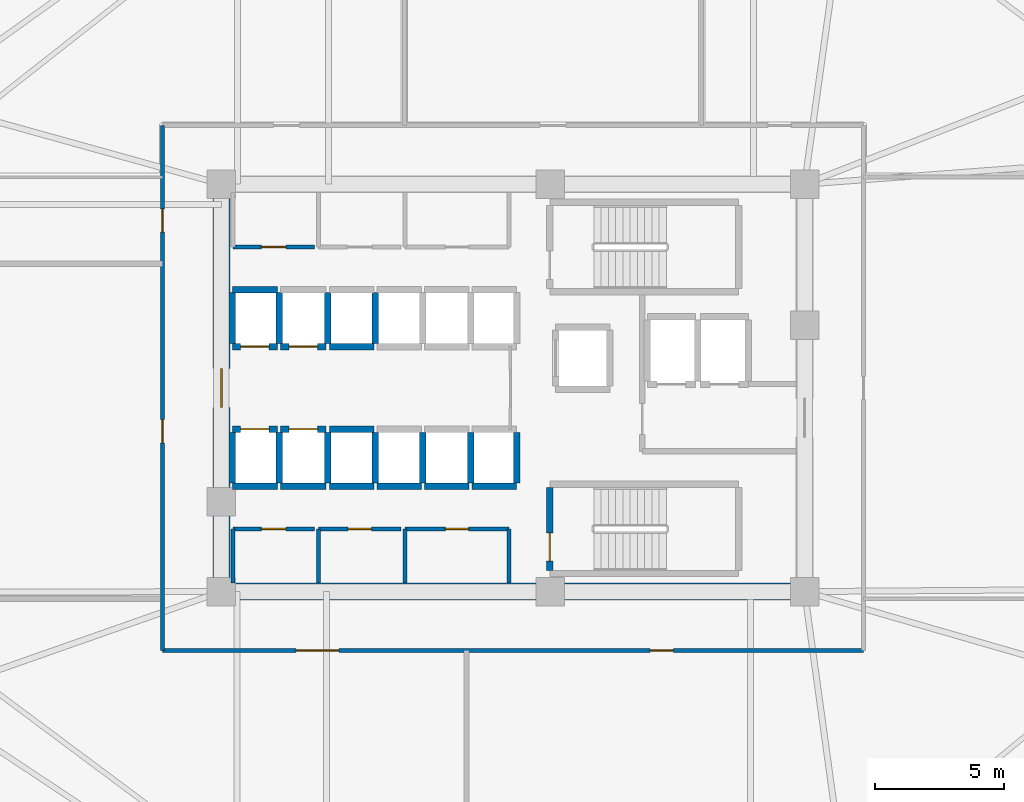
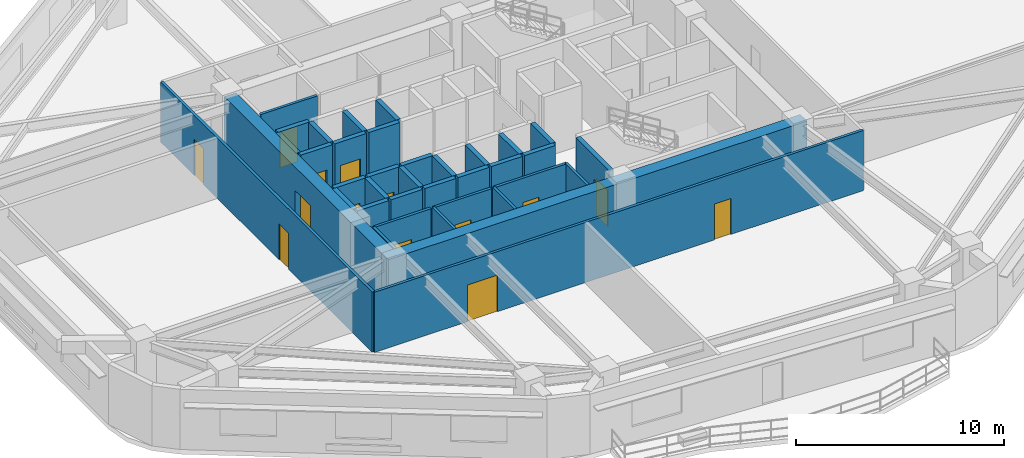
# One storey, part 3 of 9: 37 walls, 14 doors, 14 openings.
"""IFC4 building model written with IfcOpenShell, lengths in metres."""

from ifc_helpers import new_model, si_unit, direction, frame, frame_2d, origin, place, context, subcontext, project, spatial, rectangle, extrude, material, layer, layer_set, type_object, element, fill, save


model = new_model("IFC4")

# Units and contexts
model_context = context("Model", 3, precision=1e-05, world=origin(), true_north=direction((0.0, 1.0)))
body_context = subcontext(model_context, "Body", "Model", "MODEL_VIEW")
ifc_project = project(units=[si_unit("LENGTHUNIT", "METRE"), si_unit("AREAUNIT", "SQUARE_METRE"), si_unit("VOLUMEUNIT", "CUBIC_METRE"), si_unit("PLANEANGLEUNIT", "RADIAN"), si_unit("MASSUNIT", "GRAM", prefix="KILO")], contexts=[model_context])

# Site, building, storey
site_placement = place(None, origin())
site = spatial("IfcSite", under=ifc_project, at=site_placement, CompositionType="ELEMENT")
building_placement = place(site_placement, origin())
building = spatial("IfcBuilding", under=site, at=building_placement, Name="Zulverin Broadcast Headquarters", CompositionType="ELEMENT")
storey_placement = place(building_placement, frame((0.0, 0.0, 112.39990234375)))
storey = spatial("IfcBuildingStorey", under=building, at=storey_placement, Name="L28", CompositionType="ELEMENT", Elevation=112.39990234375)

# Wall
ifc_material_1 = material(Name="Concrete C60/75", Category="concrete")
ifc_layer_1 = layer(ifc_material_1, 0.64990234375, Name="Concrete C60/75", Category="concrete")
ifc_layer_set_1 = layer_set([ifc_layer_1], Name="Concrete C60/75")
wall_type_1 = type_object("IfcWallType", Name="WL-CORE-650", PredefinedType="SHEAR", material=ifc_layer_set_1)
wall_1_placement = place(storey_placement, frame((25.39990234375, 17.324951171875, 0.0), z_axis=(0.0, 0.0, 1.0), x_axis=(1.0, 0.0, 0.0)))
element("IfcWall", 1, at=wall_1_placement, inside=storey, type_object=wall_type_1, Name="L28 Core South Shear Wall", PredefinedType="SHEAR", context=body_context, shape_type="SweptSolid", body=[
    extrude(rectangle(XDim=23.2001953125, YDim=0.64990234375, at=frame_2d((11.60009765625, 0.0))), origin(), (0.0, 0.0, 1.0), 3.525146484375),
])

# Wall, opening, door
wall_2_placement = place(storey_placement, frame((25.72509765625, 17.64990234375, 0.0), z_axis=(0.0, 0.0, 1.0), x_axis=(0.0, 1.0, 0.0)))
wall_2 = element("IfcWall", 2, at=wall_2_placement, inside=storey, type_object=wall_type_1, Name="L28 Core West Shear Wall", PredefinedType="SHEAR", context=body_context, shape_type="SweptSolid", body=[
    extrude(rectangle(XDim=15.10009765625, YDim=0.64990234375, at=frame_2d((7.550048828125, 0.0))), origin(), (0.0, 0.0, 1.0), 3.525146484375),
])
opening_1_placement = place(wall_2_placement, frame((6.800048828125, 0.0, 0.0)))
opening_1 = element("IfcOpeningElement", 3, at=opening_1_placement, cuts=wall_2, Name="Opening D-L28-CW1", PredefinedType="OPENING", context=body_context, shape_type="SweptSolid", body=[
    extrude(rectangle(XDim=1.5, YDim=2.14990234375, at=frame_2d((0.75, 1.074951171875))), frame((0.0, 0.3349609375, 0.0), z_axis=(0.0, -1.0, 0.0), x_axis=(1.0, 0.0, 0.0)), (0.0, 0.0, 1.0), 0.669921875),
])
ifc_material_2 = material(Name="Fire-rated glazed steel frame", Category="steel")
door_type_1 = type_object("IfcDoorType", Name="DR-COR-1500", OperationType="DOUBLE_DOOR_SINGLE_SWING", PredefinedType="DOOR", material=ifc_material_2)
door_1_placement = place(opening_1_placement, origin())
door_1 = element("IfcDoor", 4, at=door_1_placement, inside=storey, type_object=door_type_1, Name="L28 Central Lift Lobby West Portal Door", OperationType="DOUBLE_DOOR_SINGLE_SWING", OverallHeight=2.14990234375, OverallWidth=1.5, PredefinedType="DOOR", context=body_context, shape_type="SweptSolid", body=[
    extrude(rectangle(XDim=1.5, YDim=2.14990234375, at=frame_2d((0.75, 1.074951171875))), frame((0.0, 0.02490234375, 0.0), z_axis=(0.0, -1.0, 0.0), x_axis=(1.0, 0.0, 0.0)), (0.0, 0.0, 1.0), 0.050048828125),
])
fill(opening_1, door_1)

ifc_material_3 = material(Name="Fire-rated gypsum stud partition", Category="gypsum")
ifc_layer_2 = layer(ifc_material_3, 0.14990234375, Name="Fire-rated gypsum stud partition", Category="gypsum")
ifc_layer_set_2 = layer_set([ifc_layer_2], Name="Fire-rated gypsum stud partition")
wall_type_2 = type_object("IfcWallType", Name="WL-PART-150", PredefinedType="PARTITIONING", material=ifc_layer_set_2)
wall_3_placement = place(storey_placement, frame((26.169921875, 30.64990234375, 0.0), z_axis=(0.0, 0.0, 1.0), x_axis=(1.0, 0.0, 0.0)))
wall_3 = element("IfcWall", 5, at=wall_3_placement, inside=storey, type_object=wall_type_2, Name="L28 Core Male WC Front Wall", PredefinedType="PARTITIONING", context=body_context, shape_type="SweptSolid", body=[
    extrude(rectangle(XDim=3.150146484375, YDim=0.14990234375, at=frame_2d((1.5751953125, 0.0))), origin(), (0.0, 0.0, 1.0), 3.525146484375),
])
opening_2_placement = place(wall_3_placement, frame((1.10009765625, 0.0, 0.0)))
opening_2 = element("IfcOpeningElement", 6, at=opening_2_placement, cuts=wall_3, Name="Opening D-L28-NC1", PredefinedType="OPENING", context=body_context, shape_type="SweptSolid", body=[
    extrude(rectangle(XDim=0.949951171875, YDim=2.10009765625, at=frame_2d((0.47509765625, 1.050048828125))), frame((0.0, 0.0849609375, 0.0), z_axis=(0.0, -1.0, 0.0), x_axis=(1.0, 0.0, 0.0)), (0.0, 0.0, 1.0), 0.169921875),
])
ifc_material_4 = material(Name="Fire-rated moisture-resistant laminate leaf", Category="wood")
door_type_2 = type_object("IfcDoorType", Name="DR-WC-950", OperationType="SINGLE_SWING_LEFT", PredefinedType="DOOR", material=ifc_material_4)
door_2_placement = place(opening_2_placement, origin())
door_2 = element("IfcDoor", 7, at=door_2_placement, inside=storey, type_object=door_type_2, Name="L28 Male WC Door", OperationType="SINGLE_SWING_LEFT", OverallHeight=2.10009765625, OverallWidth=0.949951171875, PredefinedType="DOOR", context=body_context, shape_type="SweptSolid", body=[
    extrude(rectangle(XDim=0.949951171875, YDim=2.10009765625, at=frame_2d((0.47509765625, 1.050048828125))), frame((0.0, 0.02490234375, 0.0), z_axis=(0.0, -1.0, 0.0), x_axis=(1.0, 0.0, 0.0)), (0.0, 0.0, 1.0), 0.050048828125),
])
fill(opening_2, door_2)

wall_4_placement = place(storey_placement, frame((26.169921875, 19.75, 0.0), z_axis=(0.0, 0.0, 1.0), x_axis=(1.0, 0.0, 0.0)))
wall_4 = element("IfcWall", 8, at=wall_4_placement, inside=storey, type_object=wall_type_2, Name="L28 Core Female WC Front Wall", PredefinedType="PARTITIONING", context=body_context, shape_type="SweptSolid", body=[
    extrude(rectangle(XDim=3.150146484375, YDim=0.14990234375, at=frame_2d((1.5751953125, 0.0))), origin(), (0.0, 0.0, 1.0), 3.525146484375),
])
opening_3_placement = place(wall_4_placement, frame((1.10009765625, 0.0, 0.0)))
opening_3 = element("IfcOpeningElement", 9, at=opening_3_placement, cuts=wall_4, Name="Opening D-L28-SC1", PredefinedType="OPENING", context=body_context, shape_type="SweptSolid", body=[
    extrude(rectangle(XDim=0.949951171875, YDim=2.10009765625, at=frame_2d((0.47509765625, 1.050048828125))), frame((0.0, 0.0849609375, 0.0), z_axis=(0.0, -1.0, 0.0), x_axis=(1.0, 0.0, 0.0)), (0.0, 0.0, 1.0), 0.169921875),
])
door_3_placement = place(opening_3_placement, origin())
door_3 = element("IfcDoor", 10, at=door_3_placement, inside=storey, type_object=door_type_2, Name="L28 Female WC Door", OperationType="SINGLE_SWING_RIGHT", OverallHeight=2.10009765625, OverallWidth=0.949951171875, PredefinedType="DOOR", context=body_context, shape_type="SweptSolid", body=[
    extrude(rectangle(XDim=0.949951171875, YDim=2.10009765625, at=frame_2d((0.47509765625, 1.050048828125))), frame((0.0, 0.02490234375, 0.0), z_axis=(0.0, -1.0, 0.0), x_axis=(1.0, 0.0, 0.0)), (0.0, 0.0, 1.0), 0.050048828125),
])
fill(opening_3, door_3)

# Wall
wall_5_placement = place(storey_placement, frame((26.169921875, 17.64990234375, 0.0), z_axis=(0.0, 0.0, 1.0), x_axis=(0.0, 1.0, 0.0)))
element("IfcWall", 11, at=wall_5_placement, inside=storey, type_object=wall_type_2, Name="L28 Core Female WC West Wall", PredefinedType="PARTITIONING", context=body_context, shape_type="SweptSolid", body=[
    extrude(rectangle(XDim=2.10009765625, YDim=0.14990234375, at=frame_2d((1.050048828125, 0.0))), origin(), (0.0, 0.0, 1.0), 3.525146484375),
])

# Wall, opening, door
wall_6_placement = place(storey_placement, frame((29.47998046875, 19.75, 0.0), z_axis=(0.0, 0.0, 1.0), x_axis=(1.0, 0.0, 0.0)))
wall_6 = element("IfcWall", 12, at=wall_6_placement, inside=storey, type_object=wall_type_2, Name="L28 Core Cleaner Store Front Wall", PredefinedType="PARTITIONING", context=body_context, shape_type="SweptSolid", body=[
    extrude(rectangle(XDim=3.18994140625, YDim=0.14990234375, at=frame_2d((1.594970703125, 0.0))), origin(), (0.0, 0.0, 1.0), 3.525146484375),
])
opening_4_placement = place(wall_6_placement, frame((1.14501953125, 0.0, 0.0)))
opening_4 = element("IfcOpeningElement", 13, at=opening_4_placement, cuts=wall_6, Name="Opening D-L28-SC2", PredefinedType="OPENING", context=body_context, shape_type="SweptSolid", body=[
    extrude(rectangle(XDim=0.89990234375, YDim=2.10009765625, at=frame_2d((0.449951171875, 1.050048828125))), frame((0.0, 0.0849609375, 0.0), z_axis=(0.0, -1.0, 0.0), x_axis=(1.0, 0.0, 0.0)), (0.0, 0.0, 1.0), 0.169921875),
])
ifc_material_5 = material(Name="Powder-coated steel access leaf", Category="steel")
door_type_3 = type_object("IfcDoorType", Name="DR-RISER-900", OperationType="SINGLE_SWING_LEFT", PredefinedType="DOOR", material=ifc_material_5)
door_4_placement = place(opening_4_placement, origin())
door_4 = element("IfcDoor", 14, at=door_4_placement, inside=storey, type_object=door_type_3, Name="L28 Cleaner Store Door", OperationType="SINGLE_SWING_LEFT", OverallHeight=2.10009765625, OverallWidth=0.89990234375, PredefinedType="DOOR", context=body_context, shape_type="SweptSolid", body=[
    extrude(rectangle(XDim=0.89990234375, YDim=2.10009765625, at=frame_2d((0.449951171875, 1.050048828125))), frame((0.0, 0.02490234375, 0.0), z_axis=(0.0, -1.0, 0.0), x_axis=(1.0, 0.0, 0.0)), (0.0, 0.0, 1.0), 0.050048828125),
])
fill(opening_4, door_4)

# Wall
wall_7_placement = place(storey_placement, frame((29.47998046875, 17.64990234375, 0.0), z_axis=(0.0, 0.0, 1.0), x_axis=(0.0, 1.0, 0.0)))
element("IfcWall", 15, at=wall_7_placement, inside=storey, type_object=wall_type_2, Name="L28 Core Cleaner Store West Wall", PredefinedType="PARTITIONING", context=body_context, shape_type="SweptSolid", body=[
    extrude(rectangle(XDim=2.10009765625, YDim=0.14990234375, at=frame_2d((1.050048828125, 0.0))), origin(), (0.0, 0.0, 1.0), 3.525146484375),
])

# Wall, opening, door
wall_8_placement = place(storey_placement, frame((32.830078125, 19.75, 0.0), z_axis=(0.0, 0.0, 1.0), x_axis=(1.0, 0.0, 0.0)))
wall_8 = element("IfcWall", 16, at=wall_8_placement, inside=storey, type_object=wall_type_2, Name="L28 Core Broadcast Fibre Riser Front Wall", PredefinedType="PARTITIONING", context=body_context, shape_type="SweptSolid", body=[
    extrude(rectangle(XDim=4.02001953125, YDim=0.14990234375, at=frame_2d((2.010009765625, 0.0))), origin(), (0.0, 0.0, 1.0), 3.525146484375),
])
opening_5_placement = place(wall_8_placement, frame((1.56005859375, 0.0, 0.0)))
opening_5 = element("IfcOpeningElement", 17, at=opening_5_placement, cuts=wall_8, Name="Opening D-L28-SC3", PredefinedType="OPENING", context=body_context, shape_type="SweptSolid", body=[
    extrude(rectangle(XDim=0.89990234375, YDim=2.10009765625, at=frame_2d((0.449951171875, 1.050048828125))), frame((0.0, 0.0849609375, 0.0), z_axis=(0.0, -1.0, 0.0), x_axis=(1.0, 0.0, 0.0)), (0.0, 0.0, 1.0), 0.169921875),
])
door_5_placement = place(opening_5_placement, origin())
door_5 = element("IfcDoor", 18, at=door_5_placement, inside=storey, type_object=door_type_3, Name="L28 Broadcast Fibre Riser Door", OperationType="SINGLE_SWING_RIGHT", OverallHeight=2.10009765625, OverallWidth=0.89990234375, PredefinedType="DOOR", context=body_context, shape_type="SweptSolid", body=[
    extrude(rectangle(XDim=0.89990234375, YDim=2.10009765625, at=frame_2d((0.449951171875, 1.050048828125))), frame((0.0, 0.02490234375, 0.0), z_axis=(0.0, -1.0, 0.0), x_axis=(1.0, 0.0, 0.0)), (0.0, 0.0, 1.0), 0.050048828125),
])
fill(opening_5, door_5)

# Walls
for number, where, z_axis, x_axis, name in (
    (19, (32.830078125, 17.64990234375, 0.0), (0.0, 0.0, 1.0), (0.0, 1.0, 0.0), "L28 Core Broadcast Fibre Riser West Wall"),
    (20, (36.85009765625, 17.64990234375, 0.0), (0.0, 0.0, 1.0), (0.0, 1.0, 0.0), "L28 Core Broadcast Fibre Riser East Wall"),
):
    element("IfcWall", number, at=place(storey_placement, frame(where, z_axis=z_axis, x_axis=x_axis)), inside=storey, type_object=wall_type_2, Name=name, PredefinedType="PARTITIONING", context=body_context, shape_type="SweptSolid", body=[
        extrude(rectangle(XDim=2.10009765625, YDim=0.14990234375, at=frame_2d((1.050048828125, 0.0))), origin(), (0.0, 0.0, 1.0), 3.525146484375),
    ])

# Wall, openings, doors
wall_9_placement = place(storey_placement, frame((23.449951171875, 15.050048828125, 0.0), z_axis=(0.0, 0.0, 1.0), x_axis=(0.0, 1.0, 0.0)))
wall_9 = element("IfcWall", 21, at=wall_9_placement, inside=storey, type_object=wall_type_2, Name="L28 Gallery Partition Wall CG-05", PredefinedType="PARTITIONING", context=body_context, shape_type="SweptSolid", body=[
    extrude(rectangle(XDim=20.300048828125, YDim=0.14990234375, at=frame_2d((10.14990234375, 0.0))), origin(), (0.0, 0.0, 1.0), 3.525146484375),
])
opening_6_placement = place(wall_9_placement, frame((8.02490234375, 0.0, 0.0)))
opening_6 = element("IfcOpeningElement", 22, at=opening_6_placement, cuts=wall_9, Name="Opening D-L28-06", PredefinedType="OPENING", context=body_context, shape_type="SweptSolid", body=[
    extrude(rectangle(XDim=0.89990234375, YDim=2.10009765625, at=frame_2d((0.449951171875, 1.050048828125))), frame((0.0, 0.0849609375, 0.0), z_axis=(0.0, -1.0, 0.0), x_axis=(1.0, 0.0, 0.0)), (0.0, 0.0, 1.0), 0.169921875),
])
opening_7_placement = place(wall_9_placement, frame((16.175048828125, 0.0, 0.0)))
opening_7 = element("IfcOpeningElement", 23, at=opening_7_placement, cuts=wall_9, Name="Opening D-L28-07", PredefinedType="OPENING", context=body_context, shape_type="SweptSolid", body=[
    extrude(rectangle(XDim=0.89990234375, YDim=2.10009765625, at=frame_2d((0.449951171875, 1.050048828125))), frame((0.0, 0.0849609375, 0.0), z_axis=(0.0, -1.0, 0.0), x_axis=(1.0, 0.0, 0.0)), (0.0, 0.0, 1.0), 0.169921875),
])
ifc_material_6 = material(Name="Fire-rated hardwood veneer timber leaf", Category="wood")
door_type_4 = type_object("IfcDoorType", Name="DR-ROOM-900", OperationType="SINGLE_SWING_RIGHT", PredefinedType="DOOR", material=ifc_material_6)
door_6_placement = place(opening_6_placement, origin())
door_6 = element("IfcDoor", 24, at=door_6_placement, inside=storey, type_object=door_type_4, Name="L28 Evening Bistro Door", OperationType="SINGLE_SWING_LEFT", OverallHeight=2.10009765625, OverallWidth=0.89990234375, PredefinedType="DOOR", context=body_context, shape_type="SweptSolid", body=[
    extrude(rectangle(XDim=0.89990234375, YDim=2.10009765625, at=frame_2d((0.449951171875, 1.050048828125))), frame((0.0, 0.02490234375, 0.0), z_axis=(0.0, -1.0, 0.0), x_axis=(1.0, 0.0, 0.0)), (0.0, 0.0, 1.0), 0.050048828125),
])
fill(opening_6, door_6)
door_7_placement = place(opening_7_placement, origin())
door_7 = element("IfcDoor", 25, at=door_7_placement, inside=storey, type_object=door_type_4, Name="L28 Catering Pantry Door", OperationType="SINGLE_SWING_RIGHT", OverallHeight=2.10009765625, OverallWidth=0.89990234375, PredefinedType="DOOR", context=body_context, shape_type="SweptSolid", body=[
    extrude(rectangle(XDim=0.89990234375, YDim=2.10009765625, at=frame_2d((0.449951171875, 1.050048828125))), frame((0.0, 0.02490234375, 0.0), z_axis=(0.0, -1.0, 0.0), x_axis=(1.0, 0.0, 0.0)), (0.0, 0.0, 1.0), 0.050048828125),
])
fill(opening_7, door_7)

wall_10_placement = place(storey_placement, frame((23.449951171875, 15.050048828125, 0.0), z_axis=(0.0, 0.0, 1.0), x_axis=(1.0, 0.0, 0.0)))
wall_10 = element("IfcWall", 26, at=wall_10_placement, inside=storey, type_object=wall_type_2, Name="L28 Gallery Partition Wall CG-06", PredefinedType="PARTITIONING", context=body_context, shape_type="SweptSolid", body=[
    extrude(rectangle(XDim=27.10009765625, YDim=0.14990234375, at=frame_2d((13.550048828125, 0.0))), origin(), (0.0, 0.0, 1.0), 3.525146484375),
])
opening_8_placement = place(wall_10_placement, frame((5.169921875, 0.0, 0.0)))
opening_8 = element("IfcOpeningElement", 27, at=opening_8_placement, cuts=wall_10, Name="Opening D-L28-04", PredefinedType="OPENING", context=body_context, shape_type="SweptSolid", body=[
    extrude(rectangle(XDim=1.64990234375, YDim=2.14990234375, at=frame_2d((0.824951171875, 1.074951171875))), frame((0.0, 0.0849609375, 0.0), z_axis=(0.0, -1.0, 0.0), x_axis=(1.0, 0.0, 0.0)), (0.0, 0.0, 1.0), 0.169921875),
])
opening_9_placement = place(wall_10_placement, frame((18.85498046875, 0.0, 0.0)))
opening_9 = element("IfcOpeningElement", 28, at=opening_9_placement, cuts=wall_10, Name="Opening D-L28-05", PredefinedType="OPENING", context=body_context, shape_type="SweptSolid", body=[
    extrude(rectangle(XDim=0.89990234375, YDim=2.10009765625, at=frame_2d((0.449951171875, 1.050048828125))), frame((0.0, 0.0849609375, 0.0), z_axis=(0.0, -1.0, 0.0), x_axis=(1.0, 0.0, 0.0)), (0.0, 0.0, 1.0), 0.169921875),
])
ifc_material_7 = material(Name="Fire-rated acoustic double leaf", Category="steel")
door_type_5 = type_object("IfcDoorType", Name="DR-AUD-1650", OperationType="DOUBLE_DOOR_SINGLE_SWING", PredefinedType="DOOR", material=ifc_material_7)
door_8_placement = place(opening_8_placement, origin())
door_8 = element("IfcDoor", 29, at=door_8_placement, inside=storey, type_object=door_type_5, Name="L28 Staff Dining Hall Door", OperationType="DOUBLE_DOOR_SINGLE_SWING", OverallHeight=2.14990234375, OverallWidth=1.64990234375, PredefinedType="DOOR", context=body_context, shape_type="SweptSolid", body=[
    extrude(rectangle(XDim=1.64990234375, YDim=2.14990234375, at=frame_2d((0.824951171875, 1.074951171875))), frame((0.0, 0.02490234375, 0.0), z_axis=(0.0, -1.0, 0.0), x_axis=(1.0, 0.0, 0.0)), (0.0, 0.0, 1.0), 0.050048828125),
])
fill(opening_8, door_8)
door_9_placement = place(opening_9_placement, origin())
door_9 = element("IfcDoor", 30, at=door_9_placement, inside=storey, type_object=door_type_4, Name="L28 Express Cafe Door", OperationType="SINGLE_SWING_RIGHT", OverallHeight=2.10009765625, OverallWidth=0.89990234375, PredefinedType="DOOR", context=body_context, shape_type="SweptSolid", body=[
    extrude(rectangle(XDim=0.89990234375, YDim=2.10009765625, at=frame_2d((0.449951171875, 1.050048828125))), frame((0.0, 0.02490234375, 0.0), z_axis=(0.0, -1.0, 0.0), x_axis=(1.0, 0.0, 0.0)), (0.0, 0.0, 1.0), 0.050048828125),
])
fill(opening_9, door_9)

# Wall, opening, door
ifc_material_8 = material(Name="Concrete C50/60", Category="concrete")
ifc_layer_3 = layer(ifc_material_8, 0.25, Name="Concrete C50/60", Category="concrete")
ifc_layer_set_3 = layer_set([ifc_layer_3], Name="Concrete C50/60")
wall_type_3 = type_object("IfcWallType", Name="WL-SHAFT-250", PredefinedType="SHEAR", material=ifc_layer_set_3)
wall_11_placement = place(storey_placement, frame((38.425048828125, 18.14990234375, 0.0), z_axis=(0.0, 0.0, 1.0), x_axis=(0.0, 1.0, 0.0)))
wall_11 = element("IfcWall", 31, at=wall_11_placement, inside=storey, type_object=wall_type_3, Name="L28 ST-2 Enclosure Wall W", PredefinedType="SHEAR", context=body_context, shape_type="SweptSolid", body=[
    extrude(rectangle(XDim=3.2001953125, YDim=0.25, at=frame_2d((1.60009765625, 0.0))), origin(), (0.0, 0.0, 1.0), 3.525146484375),
])
opening_10_placement = place(wall_11_placement, frame((0.35009765625, 0.0, 0.0)))
opening_10 = element("IfcOpeningElement", 32, at=opening_10_placement, cuts=wall_11, Name="Opening D-L28-ST-2", PredefinedType="OPENING", context=body_context, shape_type="SweptSolid", body=[
    extrude(rectangle(XDim=1.10009765625, YDim=2.14990234375, at=frame_2d((0.550048828125, 1.074951171875))), frame((0.0, 0.135009765625, 0.0), z_axis=(0.0, -1.0, 0.0), x_axis=(1.0, 0.0, 0.0)), (0.0, 0.0, 1.0), 0.27001953125),
])
ifc_material_9 = material(Name="Fire-rated steel leaf and frame", Category="steel")
door_type_6 = type_object("IfcDoorType", Name="DR-STAIR-1100", OperationType="SINGLE_SWING_LEFT", PredefinedType="DOOR", material=ifc_material_9)
door_10_placement = place(opening_10_placement, origin())
door_10 = element("IfcDoor", 33, at=door_10_placement, inside=storey, type_object=door_type_6, Name="L28 Exit Stair ST-2 Fire Door", OperationType="SINGLE_SWING_RIGHT", OverallHeight=2.14990234375, OverallWidth=1.10009765625, PredefinedType="DOOR", context=body_context, shape_type="SweptSolid", body=[
    extrude(rectangle(XDim=1.10009765625, YDim=2.14990234375, at=frame_2d((0.550048828125, 1.074951171875))), frame((0.0, 0.02490234375, 0.0), z_axis=(0.0, -1.0, 0.0), x_axis=(1.0, 0.0, 0.0)), (0.0, 0.0, 1.0), 0.050048828125),
])
fill(opening_10, door_10)

wall_12_placement = place(storey_placement, frame((26.14990234375, 26.800048828125, 0.0), z_axis=(0.0, 0.0, 1.0), x_axis=(1.0, 0.0, 0.0)))
wall_12 = element("IfcWall", 34, at=wall_12_placement, inside=storey, type_object=wall_type_3, Name="L28 Lift PL-L1 Shaft Wall S", PredefinedType="SHEAR", context=body_context, shape_type="SweptSolid", body=[
    extrude(rectangle(XDim=1.75, YDim=0.25, at=frame_2d((0.875, 0.0))), origin(), (0.0, 0.0, 1.0), 3.525146484375),
])
opening_11_placement = place(wall_12_placement, frame((0.324951171875, 0.0, 0.0)))
opening_11 = element("IfcOpeningElement", 35, at=opening_11_placement, cuts=wall_12, Name="Opening LD-PL-L1-L28", PredefinedType="OPENING", context=body_context, shape_type="SweptSolid", body=[
    extrude(rectangle(XDim=1.10009765625, YDim=2.14990234375, at=frame_2d((0.550048828125, 1.074951171875))), frame((0.0, 0.135009765625, 0.0), z_axis=(0.0, -1.0, 0.0), x_axis=(1.0, 0.0, 0.0)), (0.0, 0.0, 1.0), 0.27001953125),
])
ifc_material_10 = material(Name="Brushed stainless steel landing", Category="steel")
door_type_7 = type_object("IfcDoorType", Name="LD-PASS-1100", OperationType="DOUBLE_DOOR_SLIDING", PredefinedType="DOOR", material=ifc_material_10)
door_11_placement = place(opening_11_placement, origin())
door_11 = element("IfcDoor", 36, at=door_11_placement, inside=storey, type_object=door_type_7, Name="L28 Lift PL-L1 Sliding Landing Door", OperationType="DOUBLE_DOOR_SLIDING", OverallHeight=2.14990234375, OverallWidth=1.10009765625, PredefinedType="DOOR", context=body_context, shape_type="SweptSolid", body=[
    extrude(rectangle(XDim=1.10009765625, YDim=2.14990234375, at=frame_2d((0.550048828125, 1.074951171875))), frame((0.0, 0.02490234375, 0.0), z_axis=(0.0, -1.0, 0.0), x_axis=(1.0, 0.0, 0.0)), (0.0, 0.0, 1.0), 0.050048828125),
])
fill(opening_11, door_11)

# Walls
wall_13_placement = place(storey_placement, frame((26.14990234375, 29.0, 0.0), z_axis=(0.0, 0.0, 1.0), x_axis=(1.0, 0.0, 0.0)))
element("IfcWall", 37, at=wall_13_placement, inside=storey, type_object=wall_type_3, Name="L28 Lift PL-L1 Shaft Wall N", PredefinedType="SHEAR", context=body_context, shape_type="SweptSolid", body=[
    extrude(rectangle(XDim=1.75, YDim=0.25, at=frame_2d((0.875, 0.0))), origin(), (0.0, 0.0, 1.0), 3.525146484375),
])
for number, where, z_axis, x_axis, name in (
    (38, (26.14990234375, 26.919921875, 0.0), (0.0, 0.0, 1.0), (0.0, 1.0, 0.0), "L28 Lift PL-L1 Shaft Wall W"),
    (39, (27.9599609375, 26.919921875, 0.0), (0.0, 0.0, 1.0), (0.0, 1.0, 0.0), "L28 Lift PL-L1 Shaft Wall E"),
):
    element("IfcWall", number, at=place(storey_placement, frame(where, z_axis=z_axis, x_axis=x_axis)), inside=storey, type_object=wall_type_3, Name=name, PredefinedType="SHEAR", context=body_context, shape_type="SweptSolid", body=[
        extrude(rectangle(XDim=1.9599609375, YDim=0.25, at=frame_2d((0.97998046875, 0.0))), origin(), (0.0, 0.0, 1.0), 3.525146484375),
    ])

# Wall, opening, door
wall_14_placement = place(storey_placement, frame((28.02001953125, 26.800048828125, 0.0), z_axis=(0.0, 0.0, 1.0), x_axis=(1.0, 0.0, 0.0)))
wall_14 = element("IfcWall", 40, at=wall_14_placement, inside=storey, type_object=wall_type_3, Name="L28 Lift PL-L2 Shaft Wall S", PredefinedType="SHEAR", context=body_context, shape_type="SweptSolid", body=[
    extrude(rectangle(XDim=1.75, YDim=0.25, at=frame_2d((0.875, 0.0))), origin(), (0.0, 0.0, 1.0), 3.525146484375),
])
opening_12_placement = place(wall_14_placement, frame((0.324951171875, 0.0, 0.0)))
opening_12 = element("IfcOpeningElement", 41, at=opening_12_placement, cuts=wall_14, Name="Opening LD-PL-L2-L28", PredefinedType="OPENING", context=body_context, shape_type="SweptSolid", body=[
    extrude(rectangle(XDim=1.10009765625, YDim=2.14990234375, at=frame_2d((0.550048828125, 1.074951171875))), frame((0.0, 0.135009765625, 0.0), z_axis=(0.0, -1.0, 0.0), x_axis=(1.0, 0.0, 0.0)), (0.0, 0.0, 1.0), 0.27001953125),
])
door_12_placement = place(opening_12_placement, origin())
door_12 = element("IfcDoor", 42, at=door_12_placement, inside=storey, type_object=door_type_7, Name="L28 Lift PL-L2 Sliding Landing Door", OperationType="DOUBLE_DOOR_SLIDING", OverallHeight=2.14990234375, OverallWidth=1.10009765625, PredefinedType="DOOR", context=body_context, shape_type="SweptSolid", body=[
    extrude(rectangle(XDim=1.10009765625, YDim=2.14990234375, at=frame_2d((0.550048828125, 1.074951171875))), frame((0.0, 0.02490234375, 0.0), z_axis=(0.0, -1.0, 0.0), x_axis=(1.0, 0.0, 0.0)), (0.0, 0.0, 1.0), 0.050048828125),
])
fill(opening_12, door_12)

# Walls
wall_15_placement = place(storey_placement, frame((29.8349609375, 26.919921875, 0.0), z_axis=(0.0, 0.0, 1.0), x_axis=(0.0, 1.0, 0.0)))
element("IfcWall", 43, at=wall_15_placement, inside=storey, type_object=wall_type_3, Name="L28 Lift PL-L2 Shaft Wall E", PredefinedType="SHEAR", context=body_context, shape_type="SweptSolid", body=[
    extrude(rectangle(XDim=1.9599609375, YDim=0.25, at=frame_2d((0.97998046875, 0.0))), origin(), (0.0, 0.0, 1.0), 3.525146484375),
])
wall_16_placement = place(storey_placement, frame((26.14990234375, 21.39990234375, 0.0), z_axis=(0.0, 0.0, 1.0), x_axis=(1.0, 0.0, 0.0)))
element("IfcWall", 44, at=wall_16_placement, inside=storey, type_object=wall_type_3, Name="L28 Lift PL-L3 Shaft Wall S", PredefinedType="SHEAR", context=body_context, shape_type="SweptSolid", body=[
    extrude(rectangle(XDim=1.75, YDim=0.25, at=frame_2d((0.875, 0.0))), origin(), (0.0, 0.0, 1.0), 3.525146484375),
])

# Wall, opening, door
wall_17_placement = place(storey_placement, frame((26.14990234375, 23.60009765625, 0.0), z_axis=(0.0, 0.0, 1.0), x_axis=(1.0, 0.0, 0.0)))
wall_17 = element("IfcWall", 45, at=wall_17_placement, inside=storey, type_object=wall_type_3, Name="L28 Lift PL-L3 Shaft Wall N", PredefinedType="SHEAR", context=body_context, shape_type="SweptSolid", body=[
    extrude(rectangle(XDim=1.75, YDim=0.25, at=frame_2d((0.875, 0.0))), origin(), (0.0, 0.0, 1.0), 3.525146484375),
])
opening_13_placement = place(wall_17_placement, frame((0.324951171875, 0.0, 0.0)))
opening_13 = element("IfcOpeningElement", 46, at=opening_13_placement, cuts=wall_17, Name="Opening LD-PL-L3-L28", PredefinedType="OPENING", context=body_context, shape_type="SweptSolid", body=[
    extrude(rectangle(XDim=1.10009765625, YDim=2.14990234375, at=frame_2d((0.550048828125, 1.074951171875))), frame((0.0, 0.135009765625, 0.0), z_axis=(0.0, -1.0, 0.0), x_axis=(1.0, 0.0, 0.0)), (0.0, 0.0, 1.0), 0.27001953125),
])
door_13_placement = place(opening_13_placement, origin())
door_13 = element("IfcDoor", 47, at=door_13_placement, inside=storey, type_object=door_type_7, Name="L28 Lift PL-L3 Sliding Landing Door", OperationType="DOUBLE_DOOR_SLIDING", OverallHeight=2.14990234375, OverallWidth=1.10009765625, PredefinedType="DOOR", context=body_context, shape_type="SweptSolid", body=[
    extrude(rectangle(XDim=1.10009765625, YDim=2.14990234375, at=frame_2d((0.550048828125, 1.074951171875))), frame((0.0, 0.02490234375, 0.0), z_axis=(0.0, -1.0, 0.0), x_axis=(1.0, 0.0, 0.0)), (0.0, 0.0, 1.0), 0.050048828125),
])
fill(opening_13, door_13)

# Walls
for number, where, z_axis, x_axis, name in (
    (48, (26.14990234375, 21.52001953125, 0.0), (0.0, 0.0, 1.0), (0.0, 1.0, 0.0), "L28 Lift PL-L3 Shaft Wall W"),
    (49, (27.9599609375, 21.52001953125, 0.0), (0.0, 0.0, 1.0), (0.0, 1.0, 0.0), "L28 Lift PL-L3 Shaft Wall E"),
):
    element("IfcWall", number, at=place(storey_placement, frame(where, z_axis=z_axis, x_axis=x_axis)), inside=storey, type_object=wall_type_3, Name=name, PredefinedType="SHEAR", context=body_context, shape_type="SweptSolid", body=[
        extrude(rectangle(XDim=1.9599609375, YDim=0.25, at=frame_2d((0.97998046875, 0.0))), origin(), (0.0, 0.0, 1.0), 3.525146484375),
    ])
wall_18_placement = place(storey_placement, frame((28.02001953125, 21.39990234375, 0.0), z_axis=(0.0, 0.0, 1.0), x_axis=(1.0, 0.0, 0.0)))
element("IfcWall", 50, at=wall_18_placement, inside=storey, type_object=wall_type_3, Name="L28 Lift PL-L4 Shaft Wall S", PredefinedType="SHEAR", context=body_context, shape_type="SweptSolid", body=[
    extrude(rectangle(XDim=1.75, YDim=0.25, at=frame_2d((0.875, 0.0))), origin(), (0.0, 0.0, 1.0), 3.525146484375),
])

# Wall, opening, door
wall_19_placement = place(storey_placement, frame((28.02001953125, 23.60009765625, 0.0), z_axis=(0.0, 0.0, 1.0), x_axis=(1.0, 0.0, 0.0)))
wall_19 = element("IfcWall", 51, at=wall_19_placement, inside=storey, type_object=wall_type_3, Name="L28 Lift PL-L4 Shaft Wall N", PredefinedType="SHEAR", context=body_context, shape_type="SweptSolid", body=[
    extrude(rectangle(XDim=1.75, YDim=0.25, at=frame_2d((0.875, 0.0))), origin(), (0.0, 0.0, 1.0), 3.525146484375),
])
opening_14_placement = place(wall_19_placement, frame((0.324951171875, 0.0, 0.0)))
opening_14 = element("IfcOpeningElement", 52, at=opening_14_placement, cuts=wall_19, Name="Opening LD-PL-L4-L28", PredefinedType="OPENING", context=body_context, shape_type="SweptSolid", body=[
    extrude(rectangle(XDim=1.10009765625, YDim=2.14990234375, at=frame_2d((0.550048828125, 1.074951171875))), frame((0.0, 0.135009765625, 0.0), z_axis=(0.0, -1.0, 0.0), x_axis=(1.0, 0.0, 0.0)), (0.0, 0.0, 1.0), 0.27001953125),
])
door_14_placement = place(opening_14_placement, origin())
door_14 = element("IfcDoor", 53, at=door_14_placement, inside=storey, type_object=door_type_7, Name="L28 Lift PL-L4 Sliding Landing Door", OperationType="DOUBLE_DOOR_SLIDING", OverallHeight=2.14990234375, OverallWidth=1.10009765625, PredefinedType="DOOR", context=body_context, shape_type="SweptSolid", body=[
    extrude(rectangle(XDim=1.10009765625, YDim=2.14990234375, at=frame_2d((0.550048828125, 1.074951171875))), frame((0.0, 0.02490234375, 0.0), z_axis=(0.0, -1.0, 0.0), x_axis=(1.0, 0.0, 0.0)), (0.0, 0.0, 1.0), 0.050048828125),
])
fill(opening_14, door_14)

# Walls
wall_20_placement = place(storey_placement, frame((29.8349609375, 21.52001953125, 0.0), z_axis=(0.0, 0.0, 1.0), x_axis=(0.0, 1.0, 0.0)))
element("IfcWall", 54, at=wall_20_placement, inside=storey, type_object=wall_type_3, Name="L28 Lift PL-L4 Shaft Wall E", PredefinedType="SHEAR", context=body_context, shape_type="SweptSolid", body=[
    extrude(rectangle(XDim=1.9599609375, YDim=0.25, at=frame_2d((0.97998046875, 0.0))), origin(), (0.0, 0.0, 1.0), 3.525146484375),
])
for number, where, z_axis, x_axis, name in (
    (55, (29.89990234375, 21.39990234375, 0.0), (0.0, 0.0, 1.0), (1.0, 0.0, 0.0), "L28 Lift PL-M1 Shaft Wall S"),
    (56, (29.89990234375, 23.60009765625, 0.0), (0.0, 0.0, 1.0), (1.0, 0.0, 0.0), "L28 Lift PL-M1 Shaft Wall N"),
):
    element("IfcWall", number, at=place(storey_placement, frame(where, z_axis=z_axis, x_axis=x_axis)), inside=storey, type_object=wall_type_3, Name=name, PredefinedType="SHEAR", context=body_context, shape_type="SweptSolid", body=[
        extrude(rectangle(XDim=1.72021484375, YDim=0.25, at=frame_2d((0.860107421875, 0.0))), origin(), (0.0, 0.0, 1.0), 3.525146484375),
    ])
wall_21_placement = place(storey_placement, frame((31.679931640625, 21.52001953125, 0.0), z_axis=(0.0, 0.0, 1.0), x_axis=(0.0, 1.0, 0.0)))
element("IfcWall", 57, at=wall_21_placement, inside=storey, type_object=wall_type_3, Name="L28 Lift PL-M1 Shaft Wall E", PredefinedType="SHEAR", context=body_context, shape_type="SweptSolid", body=[
    extrude(rectangle(XDim=1.9599609375, YDim=0.25, at=frame_2d((0.97998046875, 0.0))), origin(), (0.0, 0.0, 1.0), 3.525146484375),
])
wall_22_placement = place(storey_placement, frame((31.739990234375, 21.39990234375, 0.0), z_axis=(0.0, 0.0, 1.0), x_axis=(1.0, 0.0, 0.0)))
element("IfcWall", 58, at=wall_22_placement, inside=storey, type_object=wall_type_3, Name="L28 Lift PL-M2 Shaft Wall S", PredefinedType="SHEAR", context=body_context, shape_type="SweptSolid", body=[
    extrude(rectangle(XDim=1.719970703125, YDim=0.25, at=frame_2d((0.85986328125, 0.0))), origin(), (0.0, 0.0, 1.0), 3.525146484375),
])
wall_23_placement = place(storey_placement, frame((33.52001953125, 21.52001953125, 0.0), z_axis=(0.0, 0.0, 1.0), x_axis=(0.0, 1.0, 0.0)))
element("IfcWall", 59, at=wall_23_placement, inside=storey, type_object=wall_type_3, Name="L28 Lift PL-M2 Shaft Wall E", PredefinedType="SHEAR", context=body_context, shape_type="SweptSolid", body=[
    extrude(rectangle(XDim=1.9599609375, YDim=0.25, at=frame_2d((0.97998046875, 0.0))), origin(), (0.0, 0.0, 1.0), 3.525146484375),
])
wall_24_placement = place(storey_placement, frame((33.580078125, 21.39990234375, 0.0), z_axis=(0.0, 0.0, 1.0), x_axis=(1.0, 0.0, 0.0)))
element("IfcWall", 60, at=wall_24_placement, inside=storey, type_object=wall_type_3, Name="L28 Lift PL-M3 Shaft Wall S", PredefinedType="SHEAR", context=body_context, shape_type="SweptSolid", body=[
    extrude(rectangle(XDim=1.719970703125, YDim=0.25, at=frame_2d((0.85986328125, 0.0))), origin(), (0.0, 0.0, 1.0), 3.525146484375),
])
wall_25_placement = place(storey_placement, frame((35.360107421875, 21.52001953125, 0.0), z_axis=(0.0, 0.0, 1.0), x_axis=(0.0, 1.0, 0.0)))
element("IfcWall", 61, at=wall_25_placement, inside=storey, type_object=wall_type_3, Name="L28 Lift PL-M3 Shaft Wall E", PredefinedType="SHEAR", context=body_context, shape_type="SweptSolid", body=[
    extrude(rectangle(XDim=1.9599609375, YDim=0.25, at=frame_2d((0.97998046875, 0.0))), origin(), (0.0, 0.0, 1.0), 3.525146484375),
])
wall_26_placement = place(storey_placement, frame((35.419921875, 21.39990234375, 0.0), z_axis=(0.0, 0.0, 1.0), x_axis=(1.0, 0.0, 0.0)))
element("IfcWall", 62, at=wall_26_placement, inside=storey, type_object=wall_type_3, Name="L28 Lift PL-M4 Shaft Wall S", PredefinedType="SHEAR", context=body_context, shape_type="SweptSolid", body=[
    extrude(rectangle(XDim=1.719970703125, YDim=0.25, at=frame_2d((0.85986328125, 0.0))), origin(), (0.0, 0.0, 1.0), 3.525146484375),
])
wall_27_placement = place(storey_placement, frame((37.139892578125, 21.52001953125, 0.0), z_axis=(0.0, 0.0, 1.0), x_axis=(0.0, 1.0, 0.0)))
element("IfcWall", 63, at=wall_27_placement, inside=storey, type_object=wall_type_3, Name="L28 Lift PL-M4 Shaft Wall E", PredefinedType="SHEAR", context=body_context, shape_type="SweptSolid", body=[
    extrude(rectangle(XDim=1.9599609375, YDim=0.25, at=frame_2d((0.97998046875, 0.0))), origin(), (0.0, 0.0, 1.0), 3.525146484375),
])
wall_28_placement = place(storey_placement, frame((29.89990234375, 26.800048828125, 0.0), z_axis=(0.0, 0.0, 1.0), x_axis=(1.0, 0.0, 0.0)))
element("IfcWall", 64, at=wall_28_placement, inside=storey, type_object=wall_type_3, Name="L28 Lift PL-H1 Shaft Wall S", PredefinedType="SHEAR", context=body_context, shape_type="SweptSolid", body=[
    extrude(rectangle(XDim=1.72021484375, YDim=0.25, at=frame_2d((0.860107421875, 0.0))), origin(), (0.0, 0.0, 1.0), 3.525146484375),
])
wall_29_placement = place(storey_placement, frame((31.679931640625, 26.919921875, 0.0), z_axis=(0.0, 0.0, 1.0), x_axis=(0.0, 1.0, 0.0)))
element("IfcWall", 65, at=wall_29_placement, inside=storey, type_object=wall_type_3, Name="L28 Lift PL-H1 Shaft Wall E", PredefinedType="SHEAR", context=body_context, shape_type="SweptSolid", body=[
    extrude(rectangle(XDim=1.9599609375, YDim=0.25, at=frame_2d((0.97998046875, 0.0))), origin(), (0.0, 0.0, 1.0), 3.525146484375),
])

save(model, "model.ifc")
